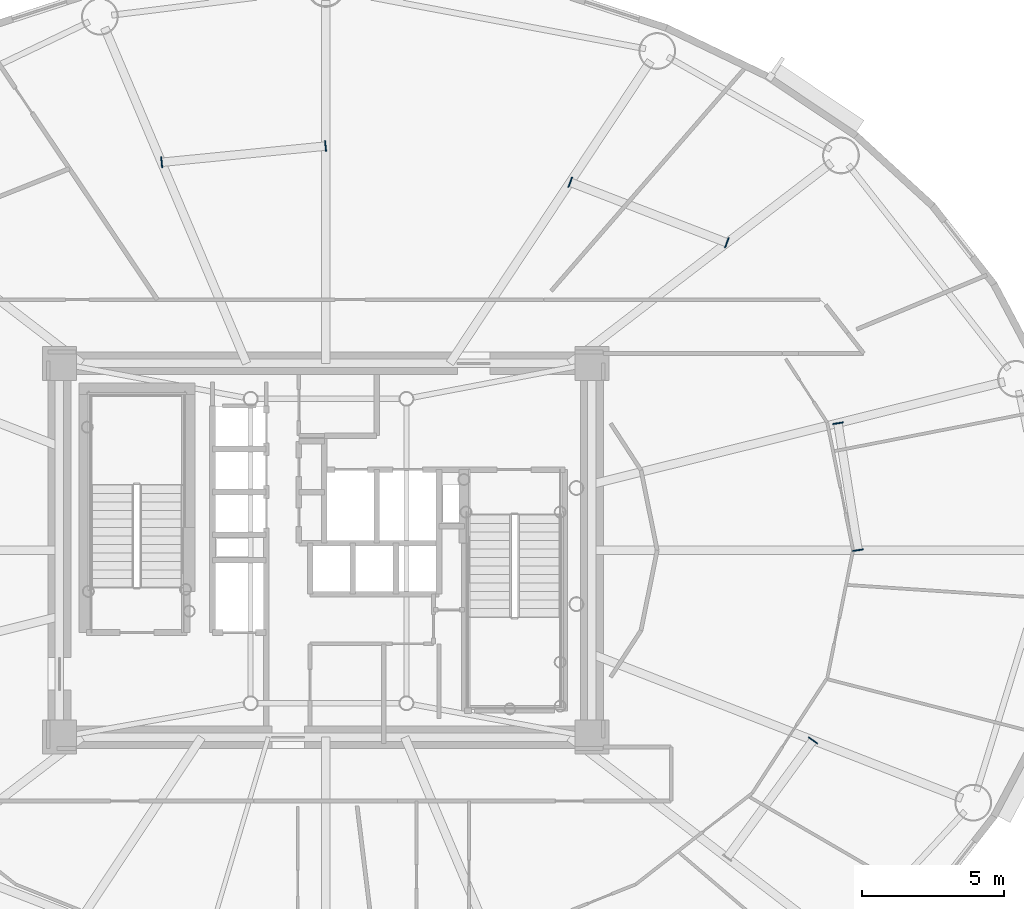
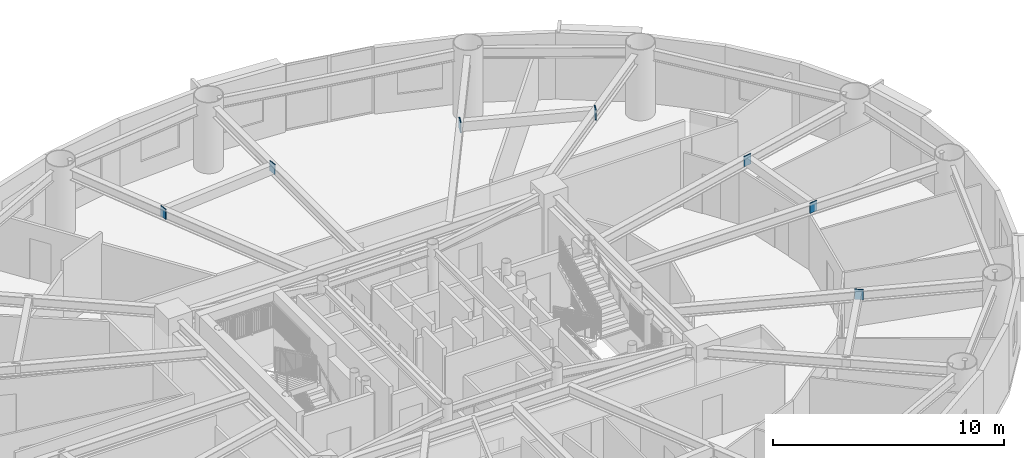
# One storey, part 9 of 21: 7 plates.
"""IFC4 building model written with IfcOpenShell, lengths in metres."""

from ifc_helpers import new_model, si_unit, direction, frame, origin, origin_2d, place, context, subcontext, project, spatial, rectangle, extrude, source, transform, mapped, material, layer, layer_set, type_object, element, save


model = new_model("IFC4")

# Units and contexts
model_context = context("Model", 3, precision=1e-05, world=origin(), true_north=direction((0.0, 1.0)))
body_context = subcontext(model_context, "Body", "Model", "MODEL_VIEW")
ifc_project = project(units=[si_unit("LENGTHUNIT", "METRE"), si_unit("AREAUNIT", "SQUARE_METRE"), si_unit("VOLUMEUNIT", "CUBIC_METRE"), si_unit("PLANEANGLEUNIT", "RADIAN"), si_unit("MASSUNIT", "GRAM", prefix="KILO")], contexts=[model_context])

# Site, building, storey
site_placement = place(None, origin())
site = spatial("IfcSite", under=ifc_project, at=site_placement, CompositionType="ELEMENT")
building_placement = place(site_placement, origin())
building = spatial("IfcBuilding", under=site, at=building_placement, Name="Linh Dai School and Residence Tower", CompositionType="ELEMENT")
storey_placement = place(building_placement, frame((0.0, 0.0, 171.14990234375)))
storey = spatial("IfcBuildingStorey", under=building, at=storey_placement, Name="L41", CompositionType="ELEMENT", Elevation=171.14990234375)

# Plates
ifc_material = material(Name="Structural Steel S355JR", Category="steel")
ifc_layer = layer(ifc_material, 0.0400390625)
ifc_layer_set = layer_set([ifc_layer], Name="Structural Steel S355JR")
plate_type = type_object("IfcPlateType", Name="PLT-GP1", PredefinedType="USERDEFINED", material=ifc_layer_set)
shared_shape = source(origin(), body_context, "Body", "SweptSolid", [
    extrude(rectangle(XDim=0.0400390625, YDim=0.3798828125, at=origin_2d()), origin(), (0.0, 0.0, 1.0), 0.5400390625),
])
for number, where, z_axis, x_axis, name in (
    (1, (54.795166015625, 27.0048828125, 2.97998046875), (0.0, 0.0, 1.0), (-0.156309354655, 0.987708148011, 0.0), "L41 Secondary Beam End Plate 01A"),
    (2, (54.0859375, 31.486572265625, 2.97998046875), (0.0, 0.0, 1.0), (-0.156309354655, 0.987708148011, 0.0), "L41 Secondary Beam End Plate 01B"),
    (3, (50.1640625, 37.860107421875, 2.97998046875), (0.0, 0.0, 1.0), (-0.932822787929, 0.36033546359, 0.0), "L41 Secondary Beam End Plate 02A"),
    (4, (44.63427734375, 39.99609375, 2.97998046875), (0.0, 0.0, 1.0), (-0.932822787929, 0.36033546359, 0.0), "L41 Secondary Beam End Plate 02B"),
    (5, (35.9951171875, 41.27294921875, 2.97998046875), (0.0, 0.0, 1.0), (-0.995144649372, -0.098423202682, 0.0), "L41 Secondary Beam End Plate 03A"),
    (6, (30.20751953125, 40.700439453125, 2.97998046875), (0.0, 0.0, 1.0), (-0.995144649372, -0.098423202682, 0.0), "L41 Secondary Beam End Plate 03B"),
    (7, (53.205322265625, 20.28857421875, 2.97998046875), (0.0, 0.0, 1.0), (0.590797317165, 0.806820010926, 0.0), "L41 Secondary Beam End Plate 08B"),
):
    element("IfcPlate", number, at=place(storey_placement, frame(where, z_axis=z_axis, x_axis=x_axis)), inside=storey, type_object=plate_type, Name=name, ObjectType="GUSSET PLATE", PredefinedType="USERDEFINED", context=body_context, shape_type="MappedRepresentation", body=[
        mapped(shared_shape, transform((0.0, 0.0, 0.0), x_axis=(1.0, 0.0, 0.0), y_axis=(0.0, 1.0, 0.0), z_axis=(0.0, 0.0, 1.0), scale=1.0)),
    ])

save(model, "model.ifc")
